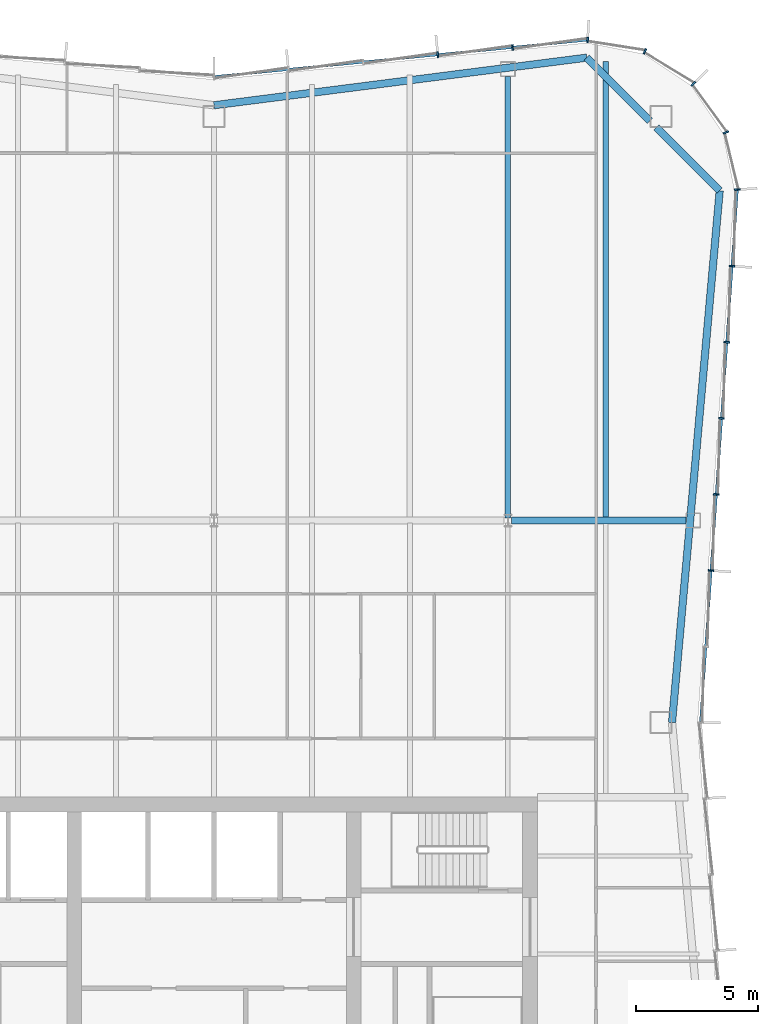
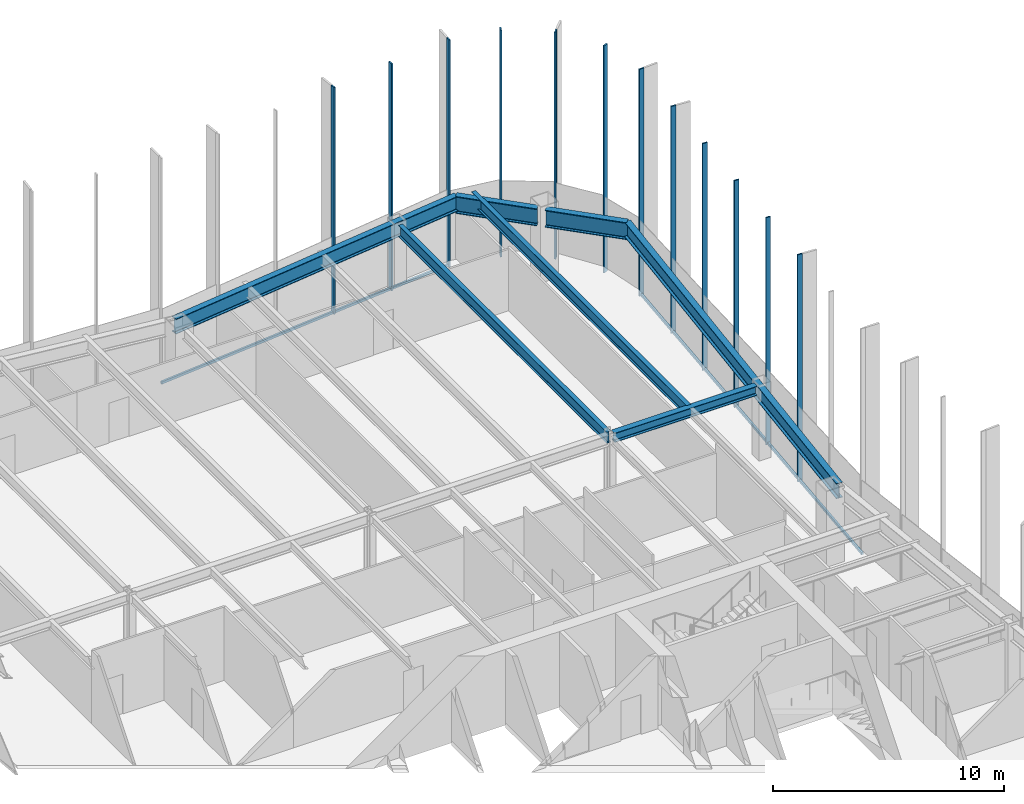
# One storey, part 7 of 13: 14 members, 7 beams, 3 elements without a shape of their own.
"""IFC4 building model written with IfcOpenShell, lengths in metres."""

from ifc_helpers import new_model, si_unit, direction, frame, origin, origin_2d, place, context, subcontext, project, spatial, rectangle, i_section, extrude, material, material_profile, profile_set, type_object, element, aggregate, save


model = new_model("IFC4")

# Units and contexts
model_context = context("Model", 3, precision=1e-05, world=origin(), true_north=direction((0.0, 1.0)))
body_context = subcontext(model_context, "Body", "Model", "MODEL_VIEW")
ifc_project = project(units=[si_unit("LENGTHUNIT", "METRE"), si_unit("AREAUNIT", "SQUARE_METRE"), si_unit("VOLUMEUNIT", "CUBIC_METRE"), si_unit("PLANEANGLEUNIT", "RADIAN"), si_unit("MASSUNIT", "GRAM", prefix="KILO")], contexts=[model_context])

# Site, building, storey
site_placement = place(None, origin())
site = spatial("IfcSite", under=ifc_project, at=site_placement, CompositionType="ELEMENT")
building_placement = place(site_placement, origin())
building = spatial("IfcBuilding", under=site, at=building_placement, Name="Verdant Reach Tower", CompositionType="ELEMENT")
storey_placement = place(building_placement, frame((0.0, 0.0, 294.0)))
storey = spatial("IfcBuildingStorey", under=building, at=storey_placement, Name="L67", CompositionType="ELEMENT", Elevation=294.0)

# Curtain wall, members
ifc_material_1 = material(Name="Anodised aluminium", Category="aluminium")
curtain_wall_type = type_object("IfcCurtainWallType", Name="EN-CW SYSTEM Z5", PredefinedType="NOTDEFINED", material=ifc_material_1)
curtain_wall_1_placement = place(storey_placement, origin())
curtain_wall_1 = element("IfcCurtainWall", 1, at=curtain_wall_1_placement, inside=storey, type_object=curtain_wall_type, Name="Curtain wall east, L67", PredefinedType="NOTDEFINED")
ifc_material_profile_1 = material_profile(ifc_material_1, rectangle(XDim=0.22998046875, YDim=0.070068359375, at=origin_2d()), Name="Mullion 70x230")
ifc_profile_set_1 = profile_set([ifc_material_profile_1], Name="Anodised aluminium")
member_type_1 = type_object("IfcMemberType", Name="EN-MULLION Z5", PredefinedType="MULLION", material=ifc_profile_set_1)
member_1_placement = place(storey_placement, frame((20.293212890625, 47.456298828125, -0.35009765625), z_axis=(0.0, 0.0, 1.0), x_axis=(0.997630328423, -0.068802091615, 0.0)))
member_1 = element("IfcMember", 2, at=member_1_placement, type_object=member_type_1, Name="Mullion east face part 2 3, L67", PredefinedType="MULLION", context=body_context, shape_type="SweptSolid", body=[
    extrude(rectangle(XDim=0.22998046875, YDim=0.070068359375, at=origin_2d()), origin(), (0.0, 0.0, 1.0), 12.0),
])
member_2_placement = place(storey_placement, frame((20.507568359375, 50.5634765625, -0.35009765625), z_axis=(0.0, 0.0, 1.0), x_axis=(0.997630328423, -0.068802091615, 0.0)))
member_2 = element("IfcMember", 3, at=member_2_placement, type_object=member_type_1, Name="Mullion east face part 2 4, L67", PredefinedType="MULLION", context=body_context, shape_type="SweptSolid", body=[
    extrude(rectangle(XDim=0.22998046875, YDim=0.070068359375, at=origin_2d()), origin(), (0.0, 0.0, 1.0), 12.0),
])
member_3_placement = place(storey_placement, frame((20.721923828125, 53.670654296875, -0.35009765625), z_axis=(0.0, 0.0, 1.0), x_axis=(0.997630328423, -0.068802091615, 0.0)))
member_3 = element("IfcMember", 4, at=member_3_placement, type_object=member_type_1, Name="Mullion east face part 2 5, L67", PredefinedType="MULLION", context=body_context, shape_type="SweptSolid", body=[
    extrude(rectangle(XDim=0.22998046875, YDim=0.070068359375, at=origin_2d()), origin(), (0.0, 0.0, 1.0), 12.0),
])
member_4_placement = place(storey_placement, frame((20.93603515625, 56.77783203125, -0.35009765625), z_axis=(0.0, 0.0, 1.0), x_axis=(0.997630328423, -0.068802091615, 0.0)))
member_4 = element("IfcMember", 5, at=member_4_placement, type_object=member_type_1, Name="Mullion east face part 2 6, L67", PredefinedType="MULLION", context=body_context, shape_type="SweptSolid", body=[
    extrude(rectangle(XDim=0.22998046875, YDim=0.070068359375, at=origin_2d()), origin(), (0.0, 0.0, 1.0), 12.0),
])
member_5_placement = place(storey_placement, frame((21.150390625, 59.885009765625, -0.35009765625), z_axis=(0.0, 0.0, 1.0), x_axis=(0.997630328423, -0.068802091615, 0.0)))
member_5 = element("IfcMember", 6, at=member_5_placement, type_object=member_type_1, Name="Mullion east face part 2 7, L67", PredefinedType="MULLION", context=body_context, shape_type="SweptSolid", body=[
    extrude(rectangle(XDim=0.22998046875, YDim=0.070068359375, at=origin_2d()), origin(), (0.0, 0.0, 1.0), 12.0),
])

curtain_wall_2_placement = place(storey_placement, origin())
curtain_wall_2 = element("IfcCurtainWall", 7, at=curtain_wall_2_placement, inside=storey, type_object=curtain_wall_type, Name="Curtain wall north-east corner, L67", PredefinedType="NOTDEFINED")
member_6_placement = place(storey_placement, frame((21.36474609375, 63.00732421875, -0.35009765625), z_axis=(0.0, 0.0, 1.0), x_axis=(0.997969180898, 0.063698618332, 0.0)))
member_6 = element("IfcMember", 8, at=member_6_placement, type_object=member_type_1, Name="Mullion north-east corner 1, L67", PredefinedType="MULLION", context=body_context, shape_type="SweptSolid", body=[
    extrude(rectangle(XDim=0.22998046875, YDim=0.070068359375, at=origin_2d()), origin(), (0.0, 0.0, 1.0), 12.0),
])
member_7_placement = place(storey_placement, frame((20.899658203125, 65.340087890625, -0.35009765625), z_axis=(0.0, 0.0, 1.0), x_axis=(0.923875215753, 0.382693853776, 0.0)))
member_7 = element("IfcMember", 9, at=member_7_placement, type_object=member_type_1, Name="Mullion north-east corner 2, L67", PredefinedType="MULLION", context=body_context, shape_type="SweptSolid", body=[
    extrude(rectangle(XDim=0.22998046875, YDim=0.070068359375, at=origin_2d()), origin(), (0.0, 0.0, 1.0), 12.0),
])
member_8_placement = place(storey_placement, frame((19.573974609375, 67.323974609375, -0.35009765625), z_axis=(0.0, 0.0, 1.0), x_axis=(0.707106781187, 0.707106781187, 0.0)))
member_8 = element("IfcMember", 10, at=member_8_placement, type_object=member_type_1, Name="Mullion north-east corner 3, L67", PredefinedType="MULLION", context=body_context, shape_type="SweptSolid", body=[
    extrude(rectangle(XDim=0.22998046875, YDim=0.070068359375, at=origin_2d()), origin(), (0.0, 0.0, 1.0), 12.0),
])
member_9_placement = place(storey_placement, frame((17.590087890625, 68.649658203125, -0.35009765625), z_axis=(0.0, 0.0, 1.0), x_axis=(0.382693853776, 0.923875215753, 0.0)))
member_9 = element("IfcMember", 11, at=member_9_placement, type_object=member_type_1, Name="Mullion north-east corner 4, L67", PredefinedType="MULLION", context=body_context, shape_type="SweptSolid", body=[
    extrude(rectangle(XDim=0.22998046875, YDim=0.070068359375, at=origin_2d()), origin(), (0.0, 0.0, 1.0), 12.0),
])
aggregate(curtain_wall_2, [member_6, member_7, member_8, member_9])

curtain_wall_3_placement = place(storey_placement, origin())
curtain_wall_3 = element("IfcCurtainWall", 12, at=curtain_wall_3_placement, inside=storey, type_object=curtain_wall_type, Name="Curtain wall north, L67", PredefinedType="NOTDEFINED")
member_10_placement = place(storey_placement, frame((15.255615234375, 69.11474609375, -0.35009765625), z_axis=(0.0, 0.0, 1.0), x_axis=(0.049127596288, 0.998792510626, 0.0)))
member_10 = element("IfcMember", 13, at=member_10_placement, type_object=member_type_1, Name="Mullion north face part 1 1, L67", PredefinedType="MULLION", context=body_context, shape_type="SweptSolid", body=[
    extrude(rectangle(XDim=0.22998046875, YDim=0.070068359375, at=origin_2d()), origin(), (0.0, 0.0, 1.0), 12.0),
])
member_11_placement = place(storey_placement, frame((12.188720703125, 68.814453125, -0.35009765625), z_axis=(0.0, 0.0, 1.0), x_axis=(-0.09788826992, 0.995197410875, 0.0)))
member_11 = element("IfcMember", 14, at=member_11_placement, type_object=member_type_1, Name="Mullion north face part 1 2, L67", PredefinedType="MULLION", context=body_context, shape_type="SweptSolid", body=[
    extrude(rectangle(XDim=0.22998046875, YDim=0.070068359375, at=origin_2d()), origin(), (0.0, 0.0, 1.0), 12.0),
])
member_12_placement = place(storey_placement, frame((9.138671875, 68.514404296875, -0.35009765625), z_axis=(0.0, 0.0, 1.0), x_axis=(-0.09788826992, 0.995197410875, 0.0)))
member_12 = element("IfcMember", 15, at=member_12_placement, type_object=member_type_1, Name="Mullion north face part 1 3, L67", PredefinedType="MULLION", context=body_context, shape_type="SweptSolid", body=[
    extrude(rectangle(XDim=0.22998046875, YDim=0.070068359375, at=origin_2d()), origin(), (0.0, 0.0, 1.0), 12.0),
])

# Member
ifc_material_profile_2 = material_profile(ifc_material_1, rectangle(XDim=0.10009765625, YDim=0.1298828125, at=origin_2d()), Name="Transom 130x100")
ifc_profile_set_2 = profile_set([ifc_material_profile_2], Name="Anodised aluminium")
member_type_2 = type_object("IfcMemberType", Name="EN-TRANSOM Z5", PredefinedType="USERDEFINED", material=ifc_profile_set_2)
member_13_placement = place(storey_placement, frame((19.867431640625, 41.284912109375, -0.284912109375), z_axis=(0.068764705107, 0.997632906099, 0.0), x_axis=(-0.997632906099, 0.068764705107, 0.0)))
member_13 = element("IfcMember", 16, at=member_13_placement, type_object=member_type_2, Name="Transom east face part 2 1.1, L67", ObjectType="TRANSOM", PredefinedType="USERDEFINED", context=body_context, shape_type="SweptSolid", body=[
    extrude(rectangle(XDim=0.10009765625, YDim=0.1298828125, at=origin_2d()), origin(), (0.0, 0.0, 1.0), 21.739013671875),
])

aggregate(curtain_wall_1, [member_1, member_2, member_3, member_4, member_5, member_13])

member_14_placement = place(storey_placement, frame((15.220703125, 69.111328125, -0.284912109375), z_axis=(-0.99520229006, -0.097838652171, 0.0), x_axis=(0.097838652171, -0.99520229006, 0.0)))
member_14 = element("IfcMember", 17, at=member_14_placement, type_object=member_type_2, Name="Transom north face part 1 1.1, L67", ObjectType="TRANSOM", PredefinedType="USERDEFINED", context=body_context, shape_type="SweptSolid", body=[
    extrude(rectangle(XDim=0.10009765625, YDim=0.1298828125, at=origin_2d()), origin(), (0.0, 0.0, 1.0), 15.259033203125),
])

aggregate(curtain_wall_3, [member_10, member_11, member_12, member_14])

# Beams
ifc_material_2 = material(Name="Steel S355", Category="steel")
ifc_material_profile_3 = material_profile(ifc_material_2, i_section(OverallWidth=0.300048828125, OverallDepth=0.489990234375, WebThickness=0.011962890625, FlangeThickness=0.02294921875, FilletRadius=0.027099609375, at=origin_2d()), Name="HEA 500")
ifc_profile_set_3 = profile_set([ifc_material_profile_3], Name="Steel S355")
beam_type_1 = type_object("IfcBeamType", Name="ST-BEAM-HEA500", PredefinedType="BEAM", material=ifc_profile_set_3)
beam_1_placement = place(storey_placement, frame((12.153076171875, 49.5, 3.625), z_axis=(1.0, 0.0, 0.0), x_axis=(0.0, 1.0, 0.0)))
element("IfcBeam", 18, at=beam_1_placement, inside=storey, type_object=beam_type_1, Name="Row girder, L67", PredefinedType="BEAM", context=body_context, shape_type="SweptSolid", body=[
    extrude(i_section(OverallWidth=0.300048828125, OverallDepth=0.489990234375, WebThickness=0.011962890625, FlangeThickness=0.02294921875, FilletRadius=0.027099609375, at=origin_2d()), origin(), (0.0, 0.0, 1.0), 7.115966796875),
])
ifc_material_profile_4 = material_profile(ifc_material_2, i_section(OverallWidth=0.219970703125, OverallDepth=0.60009765625, WebThickness=0.011962890625, FlangeThickness=0.01904296875, FilletRadius=0.02392578125, at=origin_2d()), Name="IPE 600")
ifc_profile_set_4 = profile_set([ifc_material_profile_4], Name="Steel S355")
beam_type_2 = type_object("IfcBeamType", Name="ST-JOIST-IPE600", PredefinedType="JOIST", material=ifc_profile_set_4)
beam_2_placement = place(storey_placement, frame((12.0, 49.60009765625, 3.570068359375), z_axis=(0.0, 1.0, 0.0), x_axis=(-1.0, 0.0, 0.0)))
element("IfcBeam", 19, at=beam_2_placement, inside=storey, type_object=beam_type_2, Name="Floor joist, L67", PredefinedType="JOIST", context=body_context, shape_type="SweptSolid", body=[
    extrude(i_section(OverallWidth=0.219970703125, OverallDepth=0.60009765625, WebThickness=0.011962890625, FlangeThickness=0.01904296875, FilletRadius=0.02392578125, at=origin_2d()), origin(), (0.0, 0.0, 1.0), 18.0302734375),
])
beam_3_placement = place(storey_placement, frame((16.0, 49.60009765625, 3.570068359375), z_axis=(0.0, 1.0, 0.0), x_axis=(-1.0, 0.0, 0.0)))
element("IfcBeam", 20, at=beam_3_placement, inside=storey, type_object=beam_type_2, Name="Floor joist, L67", PredefinedType="JOIST", context=body_context, shape_type="SweptSolid", body=[
    extrude(i_section(OverallWidth=0.219970703125, OverallDepth=0.60009765625, WebThickness=0.011962890625, FlangeThickness=0.01904296875, FilletRadius=0.02392578125, at=origin_2d()), origin(), (0.0, 0.0, 1.0), 18.638916015625),
])
ifc_material_profile_5 = material_profile(ifc_material_2, i_section(OverallWidth=0.300048828125, OverallDepth=0.800048828125, WebThickness=0.017578125, FlangeThickness=0.032958984375, FilletRadius=0.030029296875, at=origin_2d()), Name="HEB 800")
ifc_profile_set_5 = profile_set([ifc_material_profile_5], Name="Steel S355")
beam_type_3 = type_object("IfcBeamType", Name="ST-SPANDREL-HEB800", PredefinedType="SPANDREL", material=ifc_profile_set_5)
beam_4_placement = place(storey_placement, frame((0.0, 66.449951171875, 3.469970703125), z_axis=(0.991938889669, 0.126717162063, 0.0), x_axis=(-0.126717162063, 0.991938889669, 0.0)))
element("IfcBeam", 21, at=beam_4_placement, inside=storey, type_object=beam_type_3, Name="Edge beam, L67", PredefinedType="SPANDREL", context=body_context, shape_type="SweptSolid", body=[
    extrude(i_section(OverallWidth=0.300048828125, OverallDepth=0.800048828125, WebThickness=0.017578125, FlangeThickness=0.032958984375, FilletRadius=0.030029296875, at=origin_2d()), origin(), (0.0, 0.0, 1.0), 15.343994140625),
])
beam_5_placement = place(storey_placement, frame((20.64599609375, 62.96142578125, 3.469970703125), z_axis=(-0.089274399498, -0.996007069048, 0.0), x_axis=(0.996007069048, -0.089274399498, 0.0)))
element("IfcBeam", 22, at=beam_5_placement, inside=storey, type_object=beam_type_3, Name="Edge beam, L67", PredefinedType="SPANDREL", context=body_context, shape_type="SweptSolid", body=[
    extrude(i_section(OverallWidth=0.300048828125, OverallDepth=0.800048828125, WebThickness=0.017578125, FlangeThickness=0.032958984375, FilletRadius=0.030029296875, at=origin_2d()), origin(), (0.0, 0.0, 1.0), 21.798583984375),
])
ifc_material_profile_6 = material_profile(ifc_material_2, i_section(OverallWidth=0.302001953125, OverallDepth=0.909912109375, WebThickness=0.02099609375, FlangeThickness=0.0400390625, FilletRadius=0.030029296875, at=origin_2d()), Name="HEM 900")
ifc_profile_set_6 = profile_set([ifc_material_profile_6], Name="Steel S355")
beam_type_4 = type_object("IfcBeamType", Name="ST-SPANDREL-HEM900", PredefinedType="SPANDREL", material=ifc_profile_set_6)
beam_6_placement = place(storey_placement, frame((15.22021484375, 68.394287109375, 3.4150390625), z_axis=(0.706638520854, -0.707574731632, 0.0), x_axis=(0.707574731632, 0.706638520854, 0.0)))
element("IfcBeam", 23, at=beam_6_placement, inside=storey, type_object=beam_type_4, Name="Edge beam, L67", PredefinedType="SPANDREL", context=body_context, shape_type="SweptSolid", body=[
    extrude(i_section(OverallWidth=0.302001953125, OverallDepth=0.909912109375, WebThickness=0.02099609375, FlangeThickness=0.0400390625, FilletRadius=0.030029296875, at=origin_2d()), origin(), (0.0, 0.0, 1.0), 3.65087890625),
])
beam_7_placement = place(storey_placement, frame((18.060791015625, 65.550048828125, 3.4150390625), z_axis=(0.706639493403, -0.707573760369, 0.0), x_axis=(0.707573760369, 0.706639493403, 0.0)))
element("IfcBeam", 24, at=beam_7_placement, inside=storey, type_object=beam_type_4, Name="Edge beam, L67", PredefinedType="SPANDREL", context=body_context, shape_type="SweptSolid", body=[
    extrude(i_section(OverallWidth=0.302001953125, OverallDepth=0.909912109375, WebThickness=0.02099609375, FlangeThickness=0.0400390625, FilletRadius=0.030029296875, at=origin_2d()), origin(), (0.0, 0.0, 1.0), 3.658447265625),
])

save(model, "model.ifc")
